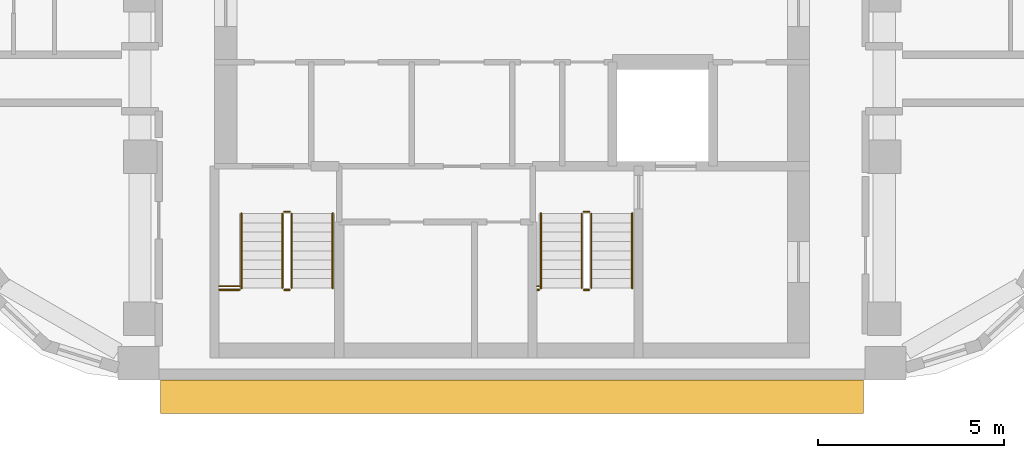
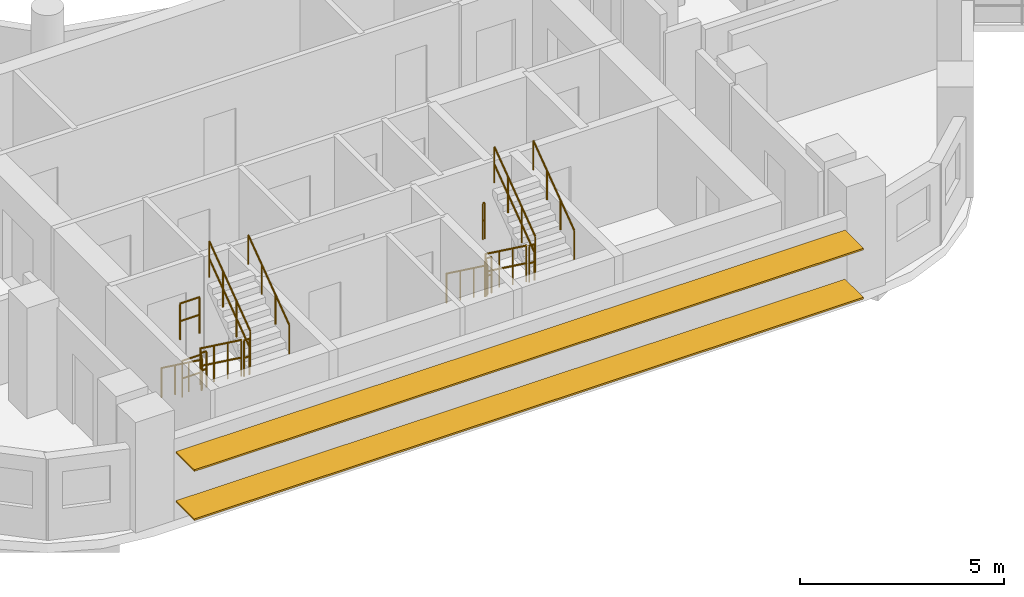
# One storey, part 10 of 12: 16 railings, 2 shading devices.
"""IFC4 building model written with IfcOpenShell, lengths in metres."""

import ifcopenshell
import ifcopenshell.guid

model = None  # the IFC model being written
_history = None  # IfcOwnerHistory: only IFC2X3 demands one
_inside = {}  # id of a spatial element -> (the spatial element, [elements in it])
_under = {}  # id of a project, library or spatial element -> (it, [spatial elements below it])
_declared = {}  # id of a project -> (the project, [libraries it declares])
_typed = {}  # id of a type object -> (the type object, [elements of that type])
_made_of = {}  # id of a material, layer set ... -> (it, [elements and type objects made of it])


def new_model(schema):
    """Start an empty IFC model of exactly this schema.

    Asked for "IFC4X3", IfcOpenShell would pick the latest addendum, in which some entities
    have other attributes; the version numbers below select the first issue.
    IFC2X3 requires an IfcOwnerHistory on every rooted entity: one is made here for all.
    """
    global model, _history
    if schema == "IFC4X3":
        model = ifcopenshell.file(schema_version=(4, 3, 0, 0))
    else:
        model = ifcopenshell.file(schema=schema)
    _inside.clear()
    _under.clear()
    _declared.clear()
    _typed.clear()
    _made_of.clear()
    _history = None
    if model.schema == "IFC2X3":
        org = make("IfcOrganization", Name="unknown")
        user = make(
            "IfcPersonAndOrganization",
            ThePerson=make("IfcPerson", FamilyName="unknown"),
            TheOrganization=org,
        )
        app = make(
            "IfcApplication",
            ApplicationDeveloper=org,
            Version="unknown",
            ApplicationFullName="unknown",
            ApplicationIdentifier="unknown",
        )
        _history = make(
            "IfcOwnerHistory",
            OwningUser=user,
            OwningApplication=app,
            ChangeAction="ADDED",
            CreationDate=0,
        )
    return model


def make(cls, **values):
    """One entity of the class cls with the attributes given. An attribute that is None is left unset."""
    return model.create_entity(
        cls, **{name: value for name, value in values.items() if value is not None}
    )


def rooted(cls, **values):
    """An entity with a GlobalId (a new one), such as an element, a storey or a relation."""
    return make(cls, GlobalId=ifcopenshell.guid.new(), OwnerHistory=_history, **values)


def si_unit(unit_type, name, prefix=None):
    """IfcSIUnit, for example si_unit("LENGTHUNIT", "METRE", prefix="MILLI")."""
    return make("IfcSIUnit", UnitType=unit_type, Prefix=prefix, Name=name)


def assignment(units):
    """IfcUnitAssignment: the units of a project."""
    return None if units is None else make("IfcUnitAssignment", Units=units)


def point(xyz):
    """IfcCartesianPoint."""
    return None if xyz is None else make("IfcCartesianPoint", Coordinates=xyz)


def direction(xyz):
    """IfcDirection."""
    return None if xyz is None else make("IfcDirection", DirectionRatios=xyz)


def frame(location, z_axis=None, x_axis=None):
    """IfcAxis2Placement3D, a coordinate frame: its origin and axes. An axis left out is left unset."""
    return make(
        "IfcAxis2Placement3D",
        Location=point(location),
        Axis=direction(z_axis),
        RefDirection=direction(x_axis),
    )


def frame_2d(location, x_axis=None):
    """IfcAxis2Placement2D, a coordinate frame in the plane: its origin and x axis."""
    return make(
        "IfcAxis2Placement2D", Location=point(location), RefDirection=direction(x_axis)
    )


def origin():
    """The frame at (0, 0, 0) with its axes left unset."""
    return frame((0.0, 0.0, 0.0))


def origin_2d():
    """The frame at (0, 0) in the plane with its x axis left unset."""
    return frame_2d((0.0, 0.0))


def place(relative_to, where):
    """IfcLocalPlacement: puts the frame where relative to a parent placement (None: the world)."""
    return make(
        "IfcLocalPlacement", PlacementRelTo=relative_to, RelativePlacement=where
    )


def context(
    kind, dimensions, precision=None, world=None, true_north=None, identifier=None
):
    """IfcGeometricRepresentationContext, for example the 3D "Model" context."""
    return make(
        "IfcGeometricRepresentationContext",
        ContextIdentifier=identifier,
        ContextType=kind,
        CoordinateSpaceDimension=dimensions,
        Precision=precision,
        WorldCoordinateSystem=world,
        TrueNorth=true_north,
    )


def subcontext(parent, identifier, kind, view, scale=None):
    """IfcGeometricRepresentationSubContext, for example "Body" below "Model"."""
    return make(
        "IfcGeometricRepresentationSubContext",
        ContextIdentifier=identifier,
        ContextType=kind,
        ParentContext=parent,
        TargetScale=scale,
        TargetView=view,
    )


def project(units=None, contexts=None):
    """IfcProject with its units and contexts."""
    return rooted(
        "IfcProject",
        Name="project",
        RepresentationContexts=contexts,
        UnitsInContext=assignment(units),
    )


def spatial(cls, under=None, at=None, **own):
    """A site, building, storey or space (cls), placed at a placement, below another one or the project."""
    s = rooted(cls, ObjectPlacement=at, **own)
    if under is not None:
        _under.setdefault(under.id(), (under, []))[1].append(s)
    return s


def profile(cls, at=None, kind="AREA", **sizes):
    """A parametric profile (cls). Its sizes go by their IFC names, for example OverallWidth=200.0."""
    return make(cls, ProfileType=kind, Position=at, **sizes)


def rectangle(**sizes):
    """IfcRectangleProfileDef."""
    return profile("IfcRectangleProfileDef", **sizes)


def circle(**sizes):
    """IfcCircleProfileDef."""
    return profile("IfcCircleProfileDef", **sizes)


def extrude(swept, where, along, depth):
    """IfcExtrudedAreaSolid: the profile swept, set in the frame where, extruded along a direction by depth."""
    return make(
        "IfcExtrudedAreaSolid",
        SweptArea=swept,
        Position=where,
        ExtrudedDirection=direction(along),
        Depth=depth,
    )


def shape(context_of_items, identifier, shape_type, items):
    """IfcShapeRepresentation: the items that make up one representation, for example the "Body"."""
    return make(
        "IfcShapeRepresentation",
        ContextOfItems=context_of_items,
        RepresentationIdentifier=identifier,
        RepresentationType=shape_type,
        Items=items,
    )


def material(Name=None, Category=None):
    """IfcMaterial."""
    return make("IfcMaterial", Name=Name, Category=Category)


def material_profile(
    of_material, cross_section, Name=None, Category=None, Priority=None
):
    """IfcMaterialProfile: a cross section and its material."""
    return make(
        "IfcMaterialProfile",
        Name=Name,
        Material=of_material,
        Profile=cross_section,
        Priority=Priority,
        Category=Category,
    )


def profile_set(profiles, Name=None, composite=None):
    """IfcMaterialProfileSet."""
    return make(
        "IfcMaterialProfileSet",
        Name=Name,
        MaterialProfiles=profiles,
        CompositeProfile=composite,
    )


def made_of(thing, what):
    """Note that an element or type object is made of a material, layer set ...; save() writes the relation."""
    if what is not None:
        _made_of.setdefault(what.id(), (what, []))[1].append(thing)
    return thing


def type_object(cls, material=None, **own):
    """A type object (cls), such as IfcWallType, which elements share."""
    return made_of(rooted(cls, **own), material)


def element(
    cls,
    number,
    at=None,
    inside=None,
    cuts=None,
    type_object=None,
    material=None,
    context=None,
    identifier="Body",
    shape_type=None,
    held_by="IfcProductDefinitionShape",
    body=None,
    shapes=None,
    **own,
):
    """One element of the class cls, such as IfcWall. Its Tag is "e" and its number.

    at: its placement. inside: the storey or other place that contains it. cuts: it is an
    opening in that element (IfcRelVoidsElement). A single representation is given by context,
    identifier, shape_type and body (its items); several are given by shapes. held_by: the class
    of the entity that holds the representations. save() writes the other relations.
    """
    e = rooted(cls, Tag="e%d" % number, ObjectPlacement=at, **own)
    if body is not None:
        shapes = [shape(context, identifier, shape_type, body)]
    if shapes is not None:
        e.Representation = make(held_by, Representations=shapes)
    if inside is not None:
        _inside.setdefault(inside.id(), (inside, []))[1].append(e)
    if cuts is not None:
        rooted(
            "IfcRelVoidsElement", RelatingBuildingElement=cuts, RelatedOpeningElement=e
        )
    if type_object is not None:
        _typed.setdefault(type_object.id(), (type_object, []))[1].append(e)
    return made_of(e, material)


def aggregate(whole, parts):
    """IfcRelAggregates: a whole, such as a stair, and the parts it consists of."""
    return rooted("IfcRelAggregates", RelatingObject=whole, RelatedObjects=parts)


def save(model, path):
    """Write the relations noted so far, then the file.

    IfcRelAggregates (storeys below a building ...), IfcRelContainedInSpatialStructure (elements
    in a storey), IfcRelDefinesByType, IfcRelAssociatesMaterial and IfcRelDeclares: one each for
    every whole, place, type object, material and project.
    """
    for whole, parts in _under.values():
        aggregate(whole, parts)
    for where, things in _inside.values():
        rooted(
            "IfcRelContainedInSpatialStructure",
            RelatedElements=things,
            RelatingStructure=where,
        )
    for kind, things in _typed.values():
        rooted("IfcRelDefinesByType", RelatedObjects=things, RelatingType=kind)
    for what, things in _made_of.values():
        rooted("IfcRelAssociatesMaterial", RelatedObjects=things, RelatingMaterial=what)
    for by, libraries in _declared.values():
        rooted("IfcRelDeclares", RelatingContext=by, RelatedDefinitions=libraries)
    model.write(path)


model = new_model("IFC4")

# Units and contexts
model_context = context("Model", 3, precision=1e-05, world=origin(), true_north=direction((0.0, 1.0)))
body_context = subcontext(model_context, "Body", "Model", "MODEL_VIEW")
ifc_project = project(units=[si_unit("LENGTHUNIT", "METRE"), si_unit("AREAUNIT", "SQUARE_METRE"), si_unit("VOLUMEUNIT", "CUBIC_METRE"), si_unit("PLANEANGLEUNIT", "RADIAN"), si_unit("MASSUNIT", "GRAM", prefix="KILO")], contexts=[model_context])

# Site, building, storey
site_placement = place(None, origin())
site = spatial("IfcSite", under=ifc_project, at=site_placement, CompositionType="ELEMENT")
building_placement = place(site_placement, origin())
building = spatial("IfcBuilding", under=site, at=building_placement, Name="Nakaniwa Court", CompositionType="ELEMENT")
storey_placement = place(building_placement, frame((0.0, 0.0, 232.800048828125)))
storey = spatial("IfcBuildingStorey", under=building, at=storey_placement, Name="L60", CompositionType="ELEMENT", Elevation=232.800048828125)

# Shading devices
ifc_material_1 = material(Name="Perforated charcoal ceramic louvre blade")
ifc_material_profile = material_profile(ifc_material_1, rectangle(XDim=0.89990234375, YDim=0.050048828125, at=origin_2d()), Name="Perforated ceramic louvre blade")
ifc_profile_set = profile_set([ifc_material_profile], Name="Perforated charcoal ceramic louvre blade")
shading_device_type = type_object("IfcShadingDeviceType", Name="Perforated ceramic louvre blade", PredefinedType="JALOUSIE", material=ifc_profile_set)
for number, where, z_axis, x_axis, name in (
    (1, (70.55078125, 56.89990234375, 0.550048828125), (1.0, 0.0, 0.0), (0.0, 1.0, 0.0), "L60 perforated ceramic louvre blade w26 1"),
    (2, (70.55078125, 56.89990234375, 2.014892578125), (1.0, 0.0, 0.0), (0.0, 1.0, 0.0), "L60 perforated ceramic louvre blade w26 2"),
):
    element("IfcShadingDevice", number, at=place(storey_placement, frame(where, z_axis=z_axis, x_axis=x_axis)), inside=storey, type_object=shading_device_type, Name=name, PredefinedType="JALOUSIE", context=body_context, shape_type="SweptSolid", body=[
        extrude(rectangle(XDim=0.89990234375, YDim=0.050048828125, at=origin_2d()), origin(), (0.0, 0.0, 1.0), 18.892822265625),
    ])

# Railings
ifc_material_2 = material(Name="Black powder coated steel guard", Category="steel")
railing_type_1 = type_object("IfcRailingType", Name="Stair guard 1100", PredefinedType="GUARDRAIL", material=ifc_material_2)
railing_1_placement = place(storey_placement, frame((73.824951171875, 61.824951171875, 0.183349609375)))
element("IfcRailing", 3, at=railing_1_placement, inside=storey, type_object=railing_type_1, Name="L60 ST3 stair guard 1", PredefinedType="GUARDRAIL", context=body_context, shape_type="SweptSolid", body=[
    extrude(circle(Radius=0.02392578125, at=origin_2d()), frame((0.0, 0.0, 1.076171875), z_axis=(0.0, -0.806426902644, 0.591333789573), x_axis=(1.0, 0.0, 0.0)), (0.0, 0.0, 1.0), 2.47998046875),
    extrude(circle(Radius=0.02392578125, at=origin_2d()), frame((0.0, 0.0, 0.550048828125), z_axis=(0.0, -0.806426902644, 0.591333789573), x_axis=(1.0, 0.0, 0.0)), (0.0, 0.0, 1.0), 2.47998046875),
    extrude(circle(Radius=0.02099609375, at=origin_2d()), origin(), (0.0, 0.0, 1.0), 1.052001953125),
    extrude(circle(Radius=0.02099609375, at=origin_2d()), frame((0.0, -0.666748046875, 0.48876953125)), (0.0, 0.0, 1.0), 1.052001953125),
    extrude(circle(Radius=0.02099609375, at=origin_2d()), frame((0.0, -1.333251953125, 0.977783203125)), (0.0, 0.0, 1.0), 1.052001953125),
    extrude(circle(Radius=0.02099609375, at=origin_2d()), frame((0.0, -2.0, 1.466552734375)), (0.0, 0.0, 1.0), 1.052001953125),
])
railing_2_placement = place(storey_placement, frame((73.875, 59.77490234375, 1.64990234375)))
element("IfcRailing", 4, at=railing_2_placement, inside=storey, type_object=railing_type_1, Name="L60 ST3 stair guard 2", PredefinedType="GUARDRAIL", context=body_context, shape_type="SweptSolid", body=[
    extrude(circle(Radius=0.02392578125, at=origin_2d()), frame((0.0, 0.0, 1.076171875), z_axis=(1.0, 0.0, 0.0), x_axis=(0.0, 1.0, 0.0)), (0.0, 0.0, 1.0), 0.14990234375),
    extrude(circle(Radius=0.02392578125, at=origin_2d()), frame((0.0, 0.0, 0.550048828125), z_axis=(1.0, 0.0, 0.0), x_axis=(0.0, 1.0, 0.0)), (0.0, 0.0, 1.0), 0.14990234375),
    extrude(circle(Radius=0.02099609375, at=origin_2d()), origin(), (0.0, 0.0, 1.0), 1.052001953125),
    extrude(circle(Radius=0.02099609375, at=origin_2d()), frame((0.14990234375, 0.0, 0.0)), (0.0, 0.0, 1.0), 1.052001953125),
])
railing_3_placement = place(storey_placement, frame((74.074951171875, 59.824951171875, 1.833251953125)))
element("IfcRailing", 5, at=railing_3_placement, inside=storey, type_object=railing_type_1, Name="L60 ST3 stair guard 3", PredefinedType="GUARDRAIL", context=body_context, shape_type="SweptSolid", body=[
    extrude(circle(Radius=0.02392578125, at=origin_2d()), frame((0.0, 0.0, 1.076171875), z_axis=(0.0, 0.806379959628, 0.591397802423), x_axis=(-1.0, 0.0, 0.0)), (0.0, 0.0, 1.0), 2.480224609375),
    extrude(circle(Radius=0.02392578125, at=origin_2d()), frame((0.0, 0.0, 0.550048828125), z_axis=(0.0, 0.806379959628, 0.591397802423), x_axis=(-1.0, 0.0, 0.0)), (0.0, 0.0, 1.0), 2.480224609375),
    extrude(circle(Radius=0.02099609375, at=origin_2d()), origin(), (0.0, 0.0, 1.0), 1.052001953125),
    extrude(circle(Radius=0.02099609375, at=origin_2d()), frame((0.0, 0.666748046875, 0.489013671875)), (0.0, 0.0, 1.0), 1.052001953125),
    extrude(circle(Radius=0.02099609375, at=origin_2d()), frame((0.0, 1.333251953125, 0.977783203125)), (0.0, 0.0, 1.0), 1.052001953125),
    extrude(circle(Radius=0.02099609375, at=origin_2d()), frame((0.0, 2.0, 1.466796875)), (0.0, 0.0, 1.0), 1.052001953125),
])
railing_4_placement = place(storey_placement, frame((73.875, 61.875, 0.0)))
element("IfcRailing", 6, at=railing_4_placement, inside=storey, type_object=railing_type_1, Name="L60 ST3 stair guard 4", PredefinedType="GUARDRAIL", context=body_context, shape_type="SweptSolid", body=[
    extrude(circle(Radius=0.02392578125, at=origin_2d()), frame((0.0, 0.0, 1.076171875), z_axis=(1.0, 0.0, 0.0), x_axis=(0.0, 1.0, 0.0)), (0.0, 0.0, 1.0), 0.14990234375),
    extrude(circle(Radius=0.02392578125, at=origin_2d()), frame((0.0, 0.0, 0.550048828125), z_axis=(1.0, 0.0, 0.0), x_axis=(0.0, 1.0, 0.0)), (0.0, 0.0, 1.0), 0.14990234375),
    extrude(circle(Radius=0.02099609375, at=origin_2d()), origin(), (0.0, 0.0, 1.0), 1.052001953125),
    extrude(circle(Radius=0.02099609375, at=origin_2d()), frame((0.14990234375, 0.0, 0.0)), (0.0, 0.0, 1.0), 1.052001953125),
])
for number, where, name in (
    (7, (72.125, 59.77490234375, 1.64990234375), "L60 ST3 landing side guard 1W"),
    (8, (72.125, 59.875, 3.300048828125), "L60 ST3 floor edge guard 1W"),
):
    element("IfcRailing", number, at=place(storey_placement, frame(where)), inside=storey, type_object=railing_type_1, Name=name, PredefinedType="GUARDRAIL", context=body_context, shape_type="SweptSolid", body=[
        extrude(circle(Radius=0.02392578125, at=origin_2d()), frame((0.0, 0.0, 1.076171875), z_axis=(1.0, 0.0, 0.0), x_axis=(0.0, 1.0, 0.0)), (0.0, 0.0, 1.0), 0.550048828125),
        extrude(circle(Radius=0.02392578125, at=origin_2d()), frame((0.0, 0.0, 0.550048828125), z_axis=(1.0, 0.0, 0.0), x_axis=(0.0, 1.0, 0.0)), (0.0, 0.0, 1.0), 0.550048828125),
        extrude(circle(Radius=0.02099609375, at=origin_2d()), origin(), (0.0, 0.0, 1.0), 1.052001953125),
        extrude(circle(Radius=0.02099609375, at=origin_2d()), frame((0.550048828125, 0.0, 0.0)), (0.0, 0.0, 1.0), 1.052001953125),
    ])
railing_5_placement = place(storey_placement, frame((81.875, 61.824951171875, 0.183349609375)))
element("IfcRailing", 9, at=railing_5_placement, inside=storey, type_object=railing_type_1, Name="L60 ST4 stair guard 1", PredefinedType="GUARDRAIL", context=body_context, shape_type="SweptSolid", body=[
    extrude(circle(Radius=0.02392578125, at=origin_2d()), frame((0.0, 0.0, 1.076171875), z_axis=(0.0, -0.806426902644, 0.591333789573), x_axis=(1.0, 0.0, 0.0)), (0.0, 0.0, 1.0), 2.47998046875),
    extrude(circle(Radius=0.02392578125, at=origin_2d()), frame((0.0, 0.0, 0.550048828125), z_axis=(0.0, -0.806426902644, 0.591333789573), x_axis=(1.0, 0.0, 0.0)), (0.0, 0.0, 1.0), 2.47998046875),
    extrude(circle(Radius=0.02099609375, at=origin_2d()), origin(), (0.0, 0.0, 1.0), 1.052001953125),
    extrude(circle(Radius=0.02099609375, at=origin_2d()), frame((0.0, -0.666748046875, 0.48876953125)), (0.0, 0.0, 1.0), 1.052001953125),
    extrude(circle(Radius=0.02099609375, at=origin_2d()), frame((0.0, -1.333251953125, 0.977783203125)), (0.0, 0.0, 1.0), 1.052001953125),
    extrude(circle(Radius=0.02099609375, at=origin_2d()), frame((0.0, -2.0, 1.466552734375)), (0.0, 0.0, 1.0), 1.052001953125),
])
railing_6_placement = place(storey_placement, frame((81.925048828125, 59.77490234375, 1.64990234375)))
element("IfcRailing", 10, at=railing_6_placement, inside=storey, type_object=railing_type_1, Name="L60 ST4 stair guard 2", PredefinedType="GUARDRAIL", context=body_context, shape_type="SweptSolid", body=[
    extrude(circle(Radius=0.02392578125, at=origin_2d()), frame((0.0, 0.0, 1.076171875), z_axis=(1.0, 0.0, 0.0), x_axis=(0.0, 1.0, 0.0)), (0.0, 0.0, 1.0), 0.14990234375),
    extrude(circle(Radius=0.02392578125, at=origin_2d()), frame((0.0, 0.0, 0.550048828125), z_axis=(1.0, 0.0, 0.0), x_axis=(0.0, 1.0, 0.0)), (0.0, 0.0, 1.0), 0.14990234375),
    extrude(circle(Radius=0.02099609375, at=origin_2d()), origin(), (0.0, 0.0, 1.0), 1.052001953125),
    extrude(circle(Radius=0.02099609375, at=origin_2d()), frame((0.14990234375, 0.0, 0.0)), (0.0, 0.0, 1.0), 1.052001953125),
])
railing_7_placement = place(storey_placement, frame((82.125, 59.824951171875, 1.833251953125)))
element("IfcRailing", 11, at=railing_7_placement, inside=storey, type_object=railing_type_1, Name="L60 ST4 stair guard 3", PredefinedType="GUARDRAIL", context=body_context, shape_type="SweptSolid", body=[
    extrude(circle(Radius=0.02392578125, at=origin_2d()), frame((0.0, 0.0, 1.076171875), z_axis=(0.0, 0.806379959628, 0.591397802423), x_axis=(-1.0, 0.0, 0.0)), (0.0, 0.0, 1.0), 2.480224609375),
    extrude(circle(Radius=0.02392578125, at=origin_2d()), frame((0.0, 0.0, 0.550048828125), z_axis=(0.0, 0.806379959628, 0.591397802423), x_axis=(-1.0, 0.0, 0.0)), (0.0, 0.0, 1.0), 2.480224609375),
    extrude(circle(Radius=0.02099609375, at=origin_2d()), origin(), (0.0, 0.0, 1.0), 1.052001953125),
    extrude(circle(Radius=0.02099609375, at=origin_2d()), frame((0.0, 0.666748046875, 0.489013671875)), (0.0, 0.0, 1.0), 1.052001953125),
    extrude(circle(Radius=0.02099609375, at=origin_2d()), frame((0.0, 1.333251953125, 0.977783203125)), (0.0, 0.0, 1.0), 1.052001953125),
    extrude(circle(Radius=0.02099609375, at=origin_2d()), frame((0.0, 2.0, 1.466796875)), (0.0, 0.0, 1.0), 1.052001953125),
])
railing_8_placement = place(storey_placement, frame((81.925048828125, 61.875, 0.0)))
element("IfcRailing", 12, at=railing_8_placement, inside=storey, type_object=railing_type_1, Name="L60 ST4 stair guard 4", PredefinedType="GUARDRAIL", context=body_context, shape_type="SweptSolid", body=[
    extrude(circle(Radius=0.02392578125, at=origin_2d()), frame((0.0, 0.0, 1.076171875), z_axis=(1.0, 0.0, 0.0), x_axis=(0.0, 1.0, 0.0)), (0.0, 0.0, 1.0), 0.14990234375),
    extrude(circle(Radius=0.02392578125, at=origin_2d()), frame((0.0, 0.0, 0.550048828125), z_axis=(1.0, 0.0, 0.0), x_axis=(0.0, 1.0, 0.0)), (0.0, 0.0, 1.0), 0.14990234375),
    extrude(circle(Radius=0.02099609375, at=origin_2d()), origin(), (0.0, 0.0, 1.0), 1.052001953125),
    extrude(circle(Radius=0.02099609375, at=origin_2d()), frame((0.14990234375, 0.0, 0.0)), (0.0, 0.0, 1.0), 1.052001953125),
])
for number, where, name in (
    (13, (80.675048828125, 59.77490234375, 1.64990234375), "L60 ST4 landing side guard 1W"),
    (14, (80.675048828125, 59.875, 3.300048828125), "L60 ST4 floor edge guard 1W"),
):
    element("IfcRailing", number, at=place(storey_placement, frame(where)), inside=storey, type_object=railing_type_1, Name=name, PredefinedType="GUARDRAIL", context=body_context, shape_type="SweptSolid", body=[
        extrude(circle(Radius=0.02392578125, at=origin_2d()), frame((0.0, 0.0, 1.076171875), z_axis=(1.0, 0.0, 0.0), x_axis=(0.0, 1.0, 0.0)), (0.0, 0.0, 1.0), 0.050048828125),
        extrude(circle(Radius=0.02392578125, at=origin_2d()), frame((0.0, 0.0, 0.550048828125), z_axis=(1.0, 0.0, 0.0), x_axis=(0.0, 1.0, 0.0)), (0.0, 0.0, 1.0), 0.050048828125),
        extrude(circle(Radius=0.02099609375, at=origin_2d()), origin(), (0.0, 0.0, 1.0), 1.052001953125),
        extrude(circle(Radius=0.02099609375, at=origin_2d()), frame((0.050048828125, 0.0, 0.0)), (0.0, 0.0, 1.0), 1.052001953125),
    ])
ifc_material_3 = material(Name="Black powder coated steel handrail", Category="steel")
railing_type_2 = type_object("IfcRailingType", Name="Stair handrail 900", PredefinedType="HANDRAIL", material=ifc_material_3)
railing_9_placement = place(storey_placement, frame((72.72509765625, 61.824951171875, 0.183349609375)))
element("IfcRailing", 15, at=railing_9_placement, inside=storey, type_object=railing_type_2, Name="L60 ST3 stair handrail 1", PredefinedType="HANDRAIL", context=body_context, shape_type="SweptSolid", body=[
    extrude(circle(Radius=0.02392578125, at=origin_2d()), frame((0.0, 0.0, 0.8759765625), z_axis=(0.0, -0.806426902644, 0.591333789573), x_axis=(1.0, 0.0, 0.0)), (0.0, 0.0, 1.0), 2.47998046875),
    extrude(circle(Radius=0.02099609375, at=origin_2d()), origin(), (0.0, 0.0, 1.0), 0.851806640625),
    extrude(circle(Radius=0.02099609375, at=origin_2d()), frame((0.0, -0.666748046875, 0.48876953125)), (0.0, 0.0, 1.0), 0.851806640625),
    extrude(circle(Radius=0.02099609375, at=origin_2d()), frame((0.0, -1.333251953125, 0.977783203125)), (0.0, 0.0, 1.0), 0.851806640625),
    extrude(circle(Radius=0.02099609375, at=origin_2d()), frame((0.0, -2.0, 1.466552734375)), (0.0, 0.0, 1.0), 0.851806640625),
])
railing_10_placement = place(storey_placement, frame((75.175048828125, 59.824951171875, 1.833251953125)))
element("IfcRailing", 16, at=railing_10_placement, inside=storey, type_object=railing_type_2, Name="L60 ST3 stair handrail 2", PredefinedType="HANDRAIL", context=body_context, shape_type="SweptSolid", body=[
    extrude(circle(Radius=0.02392578125, at=origin_2d()), frame((0.0, 0.0, 0.8759765625), z_axis=(0.0, 0.806379959628, 0.591397802423), x_axis=(-1.0, 0.0, 0.0)), (0.0, 0.0, 1.0), 2.480224609375),
    extrude(circle(Radius=0.02099609375, at=origin_2d()), origin(), (0.0, 0.0, 1.0), 0.851806640625),
    extrude(circle(Radius=0.02099609375, at=origin_2d()), frame((0.0, 0.666748046875, 0.489013671875)), (0.0, 0.0, 1.0), 0.851806640625),
    extrude(circle(Radius=0.02099609375, at=origin_2d()), frame((0.0, 1.333251953125, 0.977783203125)), (0.0, 0.0, 1.0), 0.851806640625),
    extrude(circle(Radius=0.02099609375, at=origin_2d()), frame((0.0, 2.0, 1.466796875)), (0.0, 0.0, 1.0), 0.851806640625),
])
railing_11_placement = place(storey_placement, frame((80.77490234375, 61.824951171875, 0.183349609375)))
element("IfcRailing", 17, at=railing_11_placement, inside=storey, type_object=railing_type_2, Name="L60 ST4 stair handrail 1", PredefinedType="HANDRAIL", context=body_context, shape_type="SweptSolid", body=[
    extrude(circle(Radius=0.02392578125, at=origin_2d()), frame((0.0, 0.0, 0.8759765625), z_axis=(0.0, -0.806426902644, 0.591333789573), x_axis=(1.0, 0.0, 0.0)), (0.0, 0.0, 1.0), 2.47998046875),
    extrude(circle(Radius=0.02099609375, at=origin_2d()), origin(), (0.0, 0.0, 1.0), 0.851806640625),
    extrude(circle(Radius=0.02099609375, at=origin_2d()), frame((0.0, -0.666748046875, 0.48876953125)), (0.0, 0.0, 1.0), 0.851806640625),
    extrude(circle(Radius=0.02099609375, at=origin_2d()), frame((0.0, -1.333251953125, 0.977783203125)), (0.0, 0.0, 1.0), 0.851806640625),
    extrude(circle(Radius=0.02099609375, at=origin_2d()), frame((0.0, -2.0, 1.466552734375)), (0.0, 0.0, 1.0), 0.851806640625),
])
railing_12_placement = place(storey_placement, frame((83.22509765625, 59.824951171875, 1.833251953125)))
element("IfcRailing", 18, at=railing_12_placement, inside=storey, type_object=railing_type_2, Name="L60 ST4 stair handrail 2", PredefinedType="HANDRAIL", context=body_context, shape_type="SweptSolid", body=[
    extrude(circle(Radius=0.02392578125, at=origin_2d()), frame((0.0, 0.0, 0.8759765625), z_axis=(0.0, 0.806379959628, 0.591397802423), x_axis=(-1.0, 0.0, 0.0)), (0.0, 0.0, 1.0), 2.480224609375),
    extrude(circle(Radius=0.02099609375, at=origin_2d()), origin(), (0.0, 0.0, 1.0), 0.851806640625),
    extrude(circle(Radius=0.02099609375, at=origin_2d()), frame((0.0, 0.666748046875, 0.489013671875)), (0.0, 0.0, 1.0), 0.851806640625),
    extrude(circle(Radius=0.02099609375, at=origin_2d()), frame((0.0, 1.333251953125, 0.977783203125)), (0.0, 0.0, 1.0), 0.851806640625),
    extrude(circle(Radius=0.02099609375, at=origin_2d()), frame((0.0, 2.0, 1.466796875)), (0.0, 0.0, 1.0), 0.851806640625),
])

save(model, "model.ifc")
